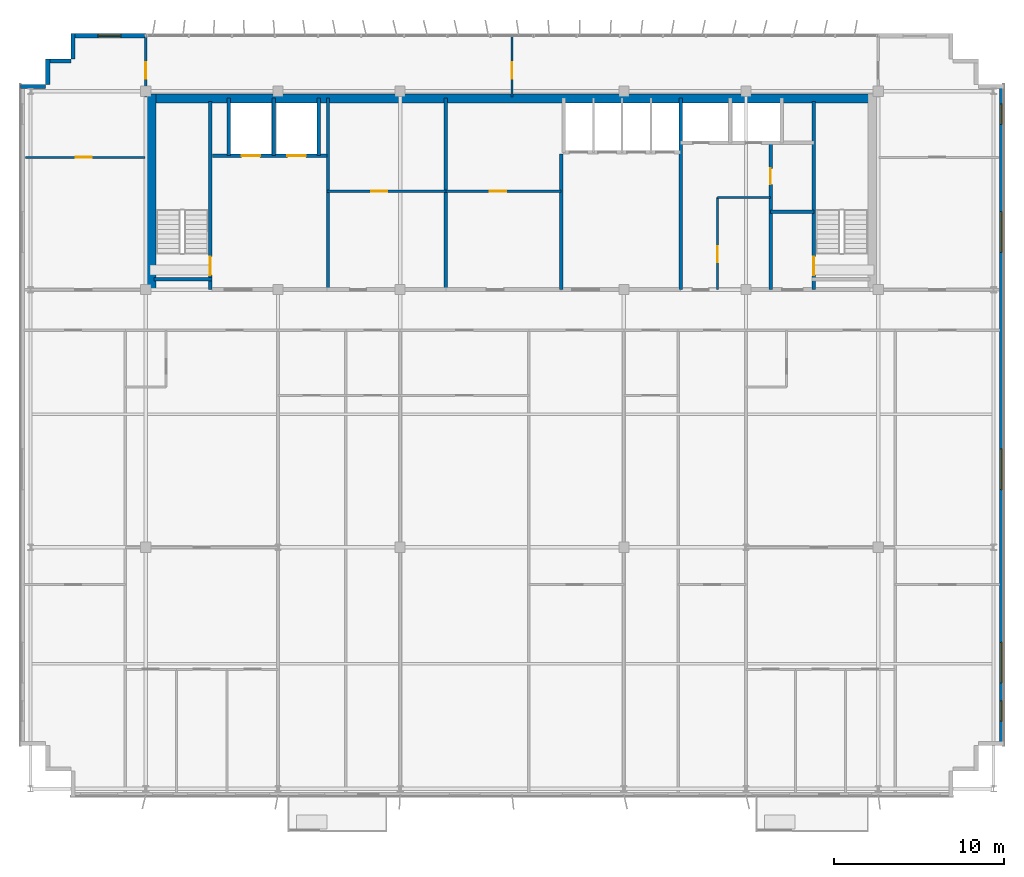
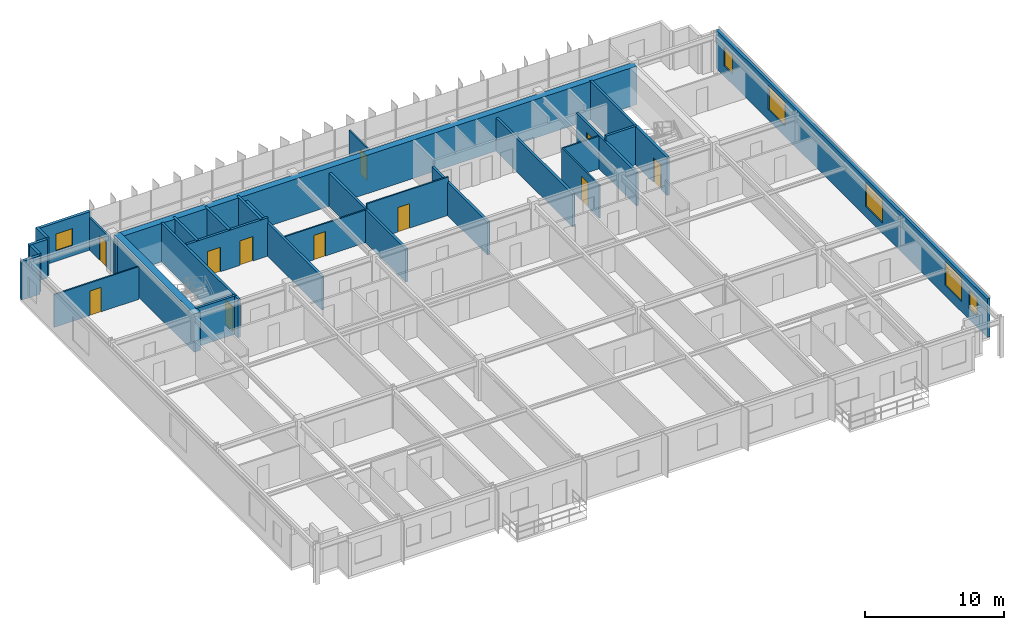
# One storey, part 19 of 22: 28 walls, 11 doors, 6 windows, 17 openings.
"""IFC4 building model written with IfcOpenShell, lengths in metres."""

from ifc_helpers import new_model, si_unit, direction, frame, frame_2d, origin, place, context, subcontext, project, spatial, rectangle, extrude, source, transform, mapped, material, layer, layer_set, type_object, element, fill, save


model = new_model("IFC4")

# Units and contexts
model_context = context("Model", 3, precision=1e-05, world=origin(), true_north=direction((0.0, 1.0)))
body_context = subcontext(model_context, "Body", "Model", "MODEL_VIEW")
ifc_project = project(units=[si_unit("LENGTHUNIT", "METRE"), si_unit("AREAUNIT", "SQUARE_METRE"), si_unit("VOLUMEUNIT", "CUBIC_METRE"), si_unit("PLANEANGLEUNIT", "RADIAN"), si_unit("MASSUNIT", "GRAM", prefix="KILO")], contexts=[model_context])

# Site, building, storey
site_placement = place(None, origin())
site = spatial("IfcSite", under=ifc_project, at=site_placement, CompositionType="ELEMENT")
building_placement = place(site_placement, origin())
building = spatial("IfcBuilding", under=site, at=building_placement, Name="Trelvane Seafront Commons", CompositionType="ELEMENT")
storey_placement = place(building_placement, frame((0.0, 0.0, 281.10009765625)))
storey = spatial("IfcBuildingStorey", under=building, at=storey_placement, Name="L73", CompositionType="ELEMENT", Elevation=281.10009765625)

# Wall, opening, window
ifc_material_1 = material(Name="Precast concrete C40/50", Category="concrete")
ifc_layer_1 = layer(ifc_material_1, 0.239990234375, Name="ARCH-WALL-EXT240")
ifc_layer_set_1 = layer_set([ifc_layer_1], Name="Precast concrete C40/50")
wall_type_1 = type_object("IfcWallType", Name="ARCH-WALL-EXT240", PredefinedType="SOLIDWALL", material=ifc_layer_set_1)
wall_1_placement = place(storey_placement, frame((11.300048828125, 48.3701171875, 0.0), z_axis=(0.0, 0.0, 1.0), x_axis=(1.0, 0.0, 0.0)))
wall_1 = element("IfcWall", 1, at=wall_1_placement, inside=storey, type_object=wall_type_1, Name="EW-L73-NW-1466", PredefinedType="SOLIDWALL", context=body_context, shape_type="SweptSolid", body=[
    extrude(rectangle(XDim=4.300048828125, YDim=0.239990234375, at=frame_2d((2.14990234375, 0.0))), origin(), (0.0, 0.0, 1.0), 3.369873046875),
])
opening_1_placement = place(wall_1_placement, frame((1.47509765625, 0.0, 0.89990234375)))
opening_1 = element("IfcOpeningElement", 2, at=opening_1_placement, cuts=wall_1, Name="Opening W09", PredefinedType="OPENING", context=body_context, shape_type="SweptSolid", body=[
    extrude(rectangle(XDim=1.35009765625, YDim=1.5, at=frame_2d((0.675048828125, 0.75))), frame((0.0, 0.1298828125, 0.0), z_axis=(0.0, -1.0, 0.0), x_axis=(1.0, 0.0, 0.0)), (0.0, 0.0, 1.0), 0.260009765625),
])
ifc_material_2 = material(Name="Low-E coastal double glazing", Category="glass")
window_type_1 = type_object("IfcWindowType", Name="ARCH-WIN-W09", PartitioningType="SINGLE_PANEL", PredefinedType="WINDOW", material=ifc_material_2)
shared_shape_1 = source(origin(), body_context, "Body", "SweptSolid", [
    extrude(rectangle(XDim=1.35009765625, YDim=1.5, at=frame_2d((0.675048828125, 0.75))), frame((0.0, 0.030029296875, 0.0), z_axis=(0.0, -1.0, 0.0), x_axis=(1.0, 0.0, 0.0)), (0.0, 0.0, 1.0), 0.06005859375),
])
window_1_placement = place(opening_1_placement, origin())
window_1 = element("IfcWindow", 3, at=window_1_placement, inside=storey, type_object=window_type_1, Name="WIN-L73-01747", OverallHeight=1.5, OverallWidth=1.35009765625, PartitioningType="SINGLE_PANEL", PredefinedType="WINDOW", context=body_context, shape_type="MappedRepresentation", body=[
    mapped(shared_shape_1, transform((0.0, 0.0, 0.0), x_axis=(1.0, 0.0, 0.0), y_axis=(0.0, 1.0, 0.0), z_axis=(0.0, 0.0, 1.0), scale=1.0)),
])
fill(opening_1, window_1)

# Walls
for number, where, z_axis, x_axis, name in (
    (4, (8.199951171875, 45.3798828125, 0.0), (0.0, 0.0, 1.0), (1.0, 0.0, 0.0), "EW-L73-01472"),
    (5, (9.820068359375, 45.5, 0.0), (0.0, 0.0, 1.0), (0.0, 1.0, 0.0), "EW-L73-01473"),
    (6, (9.699951171875, 46.8798828125, 0.0), (0.0, 0.0, 1.0), (1.0, 0.0, 0.0), "EW-L73-01474"),
    (7, (11.320068359375, 47.0, 0.0), (0.0, 0.0, 1.0), (0.0, 1.0, 0.0), "EW-L73-01475"),
):
    element("IfcWall", number, at=place(storey_placement, frame(where, z_axis=z_axis, x_axis=x_axis)), inside=storey, type_object=wall_type_1, Name=name, PredefinedType="SOLIDWALL", context=body_context, shape_type="SweptSolid", body=[
        extrude(rectangle(XDim=1.5, YDim=0.239990234375, at=frame_2d((0.75, 0.0))), origin(), (0.0, 0.0, 1.0), 3.369873046875),
    ])

# Wall, openings, windows
wall_2_placement = place(storey_placement, frame((66.080078125, 45.5, 0.0), z_axis=(0.0, 0.0, 1.0), x_axis=(0.0, -1.0, 0.0)))
wall_2 = element("IfcWall", 8, at=wall_2_placement, inside=storey, type_object=wall_type_1, Name="EW-L73-01480", PredefinedType="SOLIDWALL", context=body_context, shape_type="SweptSolid", body=[
    extrude(rectangle(XDim=39.0, YDim=0.239990234375, at=frame_2d((19.5, 0.0))), origin(), (0.0, 0.0, 1.0), 3.369873046875),
])
opening_2_placement = place(wall_2_placement, frame((36.35009765625, 0.0, 0.919921875)))
opening_2 = element("IfcOpeningElement", 9, at=opening_2_placement, cuts=wall_2, Name="Opening W05", PredefinedType="OPENING", context=body_context, shape_type="SweptSolid", body=[
    extrude(rectangle(XDim=1.199951171875, YDim=1.64990234375, at=frame_2d((0.60009765625, 0.824951171875))), frame((0.0, 0.1298828125, 0.0), z_axis=(0.0, -1.0, 0.0), x_axis=(1.0, 0.0, 0.0)), (0.0, 0.0, 1.0), 0.260009765625),
])
opening_3_placement = place(wall_2_placement, frame((32.89990234375, 0.0, 0.919921875)))
opening_3 = element("IfcOpeningElement", 10, at=opening_3_placement, cuts=wall_2, Name="Opening W08", PredefinedType="OPENING", context=body_context, shape_type="SweptSolid", body=[
    extrude(rectangle(XDim=2.39990234375, YDim=2.10009765625, at=frame_2d((1.199951171875, 1.050048828125))), frame((0.0, 0.1298828125, 0.0), z_axis=(0.0, -1.0, 0.0), x_axis=(1.0, 0.0, 0.0)), (0.0, 0.0, 1.0), 0.260009765625),
])
opening_4_placement = place(wall_2_placement, frame((21.5, 0.0, 0.919921875)))
opening_4 = element("IfcOpeningElement", 11, at=opening_4_placement, cuts=wall_2, Name="Opening W08", PredefinedType="OPENING", context=body_context, shape_type="SweptSolid", body=[
    extrude(rectangle(XDim=2.39990234375, YDim=2.10009765625, at=frame_2d((1.199951171875, 1.050048828125))), frame((0.0, 0.1298828125, 0.0), z_axis=(0.0, -1.0, 0.0), x_axis=(1.0, 0.0, 0.0)), (0.0, 0.0, 1.0), 0.260009765625),
])
opening_5_placement = place(wall_2_placement, frame((7.5, 0.0, 0.919921875)))
opening_5 = element("IfcOpeningElement", 12, at=opening_5_placement, cuts=wall_2, Name="Opening W08", PredefinedType="OPENING", context=body_context, shape_type="SweptSolid", body=[
    extrude(rectangle(XDim=2.39990234375, YDim=2.10009765625, at=frame_2d((1.199951171875, 1.050048828125))), frame((0.0, 0.1298828125, 0.0), z_axis=(0.0, -1.0, 0.0), x_axis=(1.0, 0.0, 0.0)), (0.0, 0.0, 1.0), 0.260009765625),
])
opening_6_placement = place(wall_2_placement, frame((1.14990234375, 0.0, 0.919921875)))
opening_6 = element("IfcOpeningElement", 13, at=opening_6_placement, cuts=wall_2, Name="Opening W05", PredefinedType="OPENING", context=body_context, shape_type="SweptSolid", body=[
    extrude(rectangle(XDim=1.199951171875, YDim=1.64990234375, at=frame_2d((0.60009765625, 0.824951171875))), frame((0.0, 0.1298828125, 0.0), z_axis=(0.0, -1.0, 0.0), x_axis=(1.0, 0.0, 0.0)), (0.0, 0.0, 1.0), 0.260009765625),
])
window_type_2 = type_object("IfcWindowType", Name="ARCH-WIN-W08", PartitioningType="SINGLE_PANEL", PredefinedType="WINDOW", material=ifc_material_2)
shared_shape_2 = source(origin(), body_context, "Body", "SweptSolid", [
    extrude(rectangle(XDim=2.39990234375, YDim=2.10009765625, at=frame_2d((1.199951171875, 1.050048828125))), frame((0.0, 0.030029296875, 0.0), z_axis=(0.0, -1.0, 0.0), x_axis=(1.0, 0.0, 0.0)), (0.0, 0.0, 1.0), 0.06005859375),
])
window_2_placement = place(opening_3_placement, origin())
window_2 = element("IfcWindow", 14, at=window_2_placement, inside=storey, type_object=window_type_2, Name="WIN-L73-EW-01755", OverallHeight=2.10009765625, OverallWidth=2.39990234375, PartitioningType="SINGLE_PANEL", PredefinedType="WINDOW", context=body_context, shape_type="MappedRepresentation", body=[
    mapped(shared_shape_2, transform((0.0, 0.0, 0.0), x_axis=(1.0, 0.0, 0.0), y_axis=(0.0, 1.0, 0.0), z_axis=(0.0, 0.0, 1.0), scale=1.0)),
])
fill(opening_3, window_2)
window_3_placement = place(opening_4_placement, origin())
window_3 = element("IfcWindow", 15, at=window_3_placement, inside=storey, type_object=window_type_2, Name="WIN-L73-EW-01756", OverallHeight=2.10009765625, OverallWidth=2.39990234375, PartitioningType="SINGLE_PANEL", PredefinedType="WINDOW", context=body_context, shape_type="MappedRepresentation", body=[
    mapped(shared_shape_2, transform((0.0, 0.0, 0.0), x_axis=(1.0, 0.0, 0.0), y_axis=(0.0, 1.0, 0.0), z_axis=(0.0, 0.0, 1.0), scale=1.0)),
])
fill(opening_4, window_3)
window_4_placement = place(opening_5_placement, origin())
window_4 = element("IfcWindow", 16, at=window_4_placement, inside=storey, type_object=window_type_2, Name="WIN-L73-EW-01757", OverallHeight=2.10009765625, OverallWidth=2.39990234375, PartitioningType="SINGLE_PANEL", PredefinedType="WINDOW", context=body_context, shape_type="MappedRepresentation", body=[
    mapped(shared_shape_2, transform((0.0, 0.0, 0.0), x_axis=(1.0, 0.0, 0.0), y_axis=(0.0, 1.0, 0.0), z_axis=(0.0, 0.0, 1.0), scale=1.0)),
])
fill(opening_5, window_4)
window_type_3 = type_object("IfcWindowType", Name="ARCH-WIN-W05", PartitioningType="SINGLE_PANEL", PredefinedType="WINDOW", material=ifc_material_2)
shared_shape_3 = source(origin(), body_context, "Body", "SweptSolid", [
    extrude(rectangle(XDim=1.199951171875, YDim=1.64990234375, at=frame_2d((0.60009765625, 0.824951171875))), frame((0.0, 0.030029296875, 0.0), z_axis=(0.0, -1.0, 0.0), x_axis=(1.0, 0.0, 0.0)), (0.0, 0.0, 1.0), 0.06005859375),
])
window_5_placement = place(opening_2_placement, origin())
window_5 = element("IfcWindow", 17, at=window_5_placement, inside=storey, type_object=window_type_3, Name="WIN-L73-EW-01754", OverallHeight=1.64990234375, OverallWidth=1.199951171875, PartitioningType="SINGLE_PANEL", PredefinedType="WINDOW", context=body_context, shape_type="MappedRepresentation", body=[
    mapped(shared_shape_3, transform((0.0, 0.0, 0.0), x_axis=(1.0, 0.0, 0.0), y_axis=(0.0, 1.0, 0.0), z_axis=(0.0, 0.0, 1.0), scale=1.0)),
])
fill(opening_2, window_5)
window_6_placement = place(opening_6_placement, origin())
window_6 = element("IfcWindow", 18, at=window_6_placement, inside=storey, type_object=window_type_3, Name="WIN-L73-EW-01758", OverallHeight=1.64990234375, OverallWidth=1.199951171875, PartitioningType="SINGLE_PANEL", PredefinedType="WINDOW", context=body_context, shape_type="MappedRepresentation", body=[
    mapped(shared_shape_3, transform((0.0, 0.0, 0.0), x_axis=(1.0, 0.0, 0.0), y_axis=(0.0, 1.0, 0.0), z_axis=(0.0, 0.0, 1.0), scale=1.0)),
])
fill(opening_6, window_6)

# Wall, opening, door
ifc_material_3 = material(Name="Concrete C40/50", Category="concrete")
ifc_layer_2 = layer(ifc_material_3, 0.199951171875, Name="ARCH-WALL-FIRE200")
ifc_layer_set_2 = layer_set([ifc_layer_2], Name="Concrete C40/50")
wall_type_2 = type_object("IfcWallType", Name="ARCH-WALL-FIRE200", PredefinedType="PARTITIONING", material=ifc_layer_set_2)
wall_3_placement = place(storey_placement, frame((52.449951171875, 33.39990234375, 0.0), z_axis=(0.0, 0.0, 1.0), x_axis=(0.0, 1.0, 0.0)))
wall_3 = element("IfcWall", 19, at=wall_3_placement, inside=storey, type_object=wall_type_2, Name="W-L73-ST2V-W-030", PredefinedType="PARTITIONING", context=body_context, shape_type="SweptSolid", body=[
    extrude(rectangle(XDim=8.650146484375, YDim=0.199951171875, at=frame_2d((4.3251953125, 0.0))), origin(), (0.0, 0.0, 1.0), 2.919921875),
])
opening_7_placement = place(wall_3_placement, frame((6.199951171875, 0.0, 0.0)))
opening_7 = element("IfcOpeningElement", 20, at=opening_7_placement, cuts=wall_3, Name="Opening FD-L73-17", PredefinedType="OPENING", context=body_context, shape_type="SweptSolid", body=[
    extrude(rectangle(XDim=0.949951171875, YDim=2.14990234375, at=frame_2d((0.47509765625, 1.074951171875))), frame((0.0, 0.10986328125, 0.0), z_axis=(0.0, -1.0, 0.0), x_axis=(1.0, 0.0, 0.0)), (0.0, 0.0, 1.0), 0.219970703125),
])
ifc_material_4 = material(Name="Powder-coated aluminium frame", Category="aluminium")
door_type_1 = type_object("IfcDoorType", Name="ARCH-DR-FD60-950", OperationType="NOTDEFINED", PredefinedType="DOOR", material=ifc_material_4)
shared_shape_4 = source(origin(), body_context, "Body", "SweptSolid", [
    extrude(rectangle(XDim=0.949951171875, YDim=2.14990234375, at=frame_2d((0.47509765625, 1.074951171875))), frame((0.0, 0.02490234375, 0.0), z_axis=(0.0, -1.0, 0.0), x_axis=(1.0, 0.0, 0.0)), (0.0, 0.0, 1.0), 0.050048828125),
])
door_1_placement = place(opening_7_placement, origin())
door_1 = element("IfcDoor", 21, at=door_1_placement, inside=storey, type_object=door_type_1, Name="L73 Cleaner Store Door", OperationType="SINGLE_SWING_LEFT", OverallHeight=2.14990234375, OverallWidth=0.949951171875, PredefinedType="DOOR", context=body_context, shape_type="MappedRepresentation", body=[
    mapped(shared_shape_4, transform((0.0, 0.0, 0.0), x_axis=(1.0, 0.0, 0.0), y_axis=(0.0, 1.0, 0.0), z_axis=(0.0, 0.0, 1.0), scale=1.0)),
])
fill(opening_7, door_1)

# Wall
wall_4_placement = place(storey_placement, frame((52.449951171875, 38.0, 0.0), z_axis=(0.0, 0.0, 1.0), x_axis=(1.0, 0.0, 0.0)))
element("IfcWall", 22, at=wall_4_placement, inside=storey, type_object=wall_type_2, Name="W-L73-ST2V-N-031", PredefinedType="PARTITIONING", context=body_context, shape_type="SweptSolid", body=[
    extrude(rectangle(XDim=2.550048828125, YDim=0.199951171875, at=frame_2d((1.27490234375, 0.0))), origin(), (0.0, 0.0, 1.0), 3.369873046875),
])

# Wall, opening, door
ifc_material_5 = material(Name="Gypsum Drywall Acoustic Partition")
ifc_layer_3 = layer(ifc_material_5, 0.1201171875, Name="ARCH-WALL-PART120")
ifc_layer_set_3 = layer_set([ifc_layer_3], Name="Gypsum Drywall Acoustic Partition")
wall_type_3 = type_object("IfcWallType", Name="ARCH-WALL-PART120", PredefinedType="PARTITIONING", material=ifc_layer_set_3)
wall_5_placement = place(storey_placement, frame((26.300048828125, 39.199951171875, 0.0), z_axis=(0.0, 0.0, 1.0), x_axis=(1.0, 0.0, 0.0)))
wall_5 = element("IfcWall", 23, at=wall_5_placement, inside=storey, type_object=wall_type_3, Name="W-L73-FREED-PL-MID-014", PredefinedType="PARTITIONING", context=body_context, shape_type="SweptSolid", body=[
    extrude(rectangle(XDim=7.0, YDim=0.1201171875, at=frame_2d((3.5, 0.0))), origin(), (0.0, 0.0, 1.0), 2.869873046875),
])
opening_8_placement = place(wall_5_placement, frame((2.60009765625, 0.0, 0.0)))
opening_8 = element("IfcOpeningElement", 24, at=opening_8_placement, cuts=wall_5, Name="Opening D-L73-06", PredefinedType="OPENING", context=body_context, shape_type="SweptSolid", body=[
    extrude(rectangle(XDim=0.949951171875, YDim=2.14990234375, at=frame_2d((0.47509765625, 1.074951171875))), frame((0.0, 0.070068359375, 0.0), z_axis=(0.0, -1.0, 0.0), x_axis=(1.0, 0.0, 0.0)), (0.0, 0.0, 1.0), 0.14013671875),
])
ifc_material_6 = material(Name="Acoustic timber door leaf", Category="wood")
door_type_2 = type_object("IfcDoorType", Name="ARCH-DR-INT950", OperationType="NOTDEFINED", PredefinedType="DOOR", material=ifc_material_6)
door_2_placement = place(opening_8_placement, origin())
door_2 = element("IfcDoor", 25, at=door_2_placement, inside=storey, type_object=door_type_2, Name="L73 Housekeeping Store Door", OperationType="SINGLE_SWING_RIGHT", OverallHeight=2.14990234375, OverallWidth=0.949951171875, PredefinedType="DOOR", context=body_context, shape_type="MappedRepresentation", body=[
    mapped(shared_shape_4, transform((0.0, 0.0, 0.0), x_axis=(1.0, 0.0, 0.0), y_axis=(0.0, 1.0, 0.0), z_axis=(0.0, 0.0, 1.0), scale=1.0)),
])
fill(opening_8, door_2)

wall_6_placement = place(storey_placement, frame((33.300048828125, 39.199951171875, 0.0), z_axis=(0.0, 0.0, 1.0), x_axis=(1.0, 0.0, 0.0)))
wall_6 = element("IfcWall", 26, at=wall_6_placement, inside=storey, type_object=wall_type_3, Name="W-L73-FREED-PM-MID-016", PredefinedType="PARTITIONING", context=body_context, shape_type="SweptSolid", body=[
    extrude(rectangle(XDim=6.800048828125, YDim=0.1201171875, at=frame_2d((3.39990234375, 0.0))), origin(), (0.0, 0.0, 1.0), 3.369873046875),
])
opening_9_placement = place(wall_6_placement, frame((2.60009765625, 0.0, 0.0)))
opening_9 = element("IfcOpeningElement", 27, at=opening_9_placement, cuts=wall_6, Name="Opening D-L73-07", PredefinedType="OPENING", context=body_context, shape_type="SweptSolid", body=[
    extrude(rectangle(XDim=0.949951171875, YDim=2.14990234375, at=frame_2d((0.47509765625, 1.074951171875))), frame((0.0, 0.070068359375, 0.0), z_axis=(0.0, -1.0, 0.0), x_axis=(1.0, 0.0, 0.0)), (0.0, 0.0, 1.0), 0.14013671875),
])
door_3_placement = place(opening_9_placement, origin())
door_3 = element("IfcDoor", 28, at=door_3_placement, inside=storey, type_object=door_type_2, Name="L73 IT Comms Room Door", OperationType="SINGLE_SWING_LEFT", OverallHeight=2.14990234375, OverallWidth=0.949951171875, PredefinedType="DOOR", context=body_context, shape_type="MappedRepresentation", body=[
    mapped(shared_shape_4, transform((0.0, 0.0, 0.0), x_axis=(1.0, 0.0, 0.0), y_axis=(0.0, 1.0, 0.0), z_axis=(0.0, 0.0, 1.0), scale=1.0)),
])
fill(opening_9, door_3)

wall_7_placement = place(storey_placement, frame((49.320068359375, 33.39990234375, 0.0), z_axis=(0.0, 0.0, 1.0), x_axis=(0.0, 1.0, 0.0)))
wall_7 = element("IfcWall", 29, at=wall_7_placement, inside=storey, type_object=wall_type_3, Name="W-L73-CYC2-V-032", PredefinedType="PARTITIONING", context=body_context, shape_type="SweptSolid", body=[
    extrude(rectangle(XDim=5.420166015625, YDim=0.1201171875, at=frame_2d((2.7099609375, 0.0))), origin(), (0.0, 0.0, 1.0), 2.919921875),
])
opening_10_placement = place(wall_7_placement, frame((1.60009765625, 0.0, 0.0)))
opening_10 = element("IfcOpeningElement", 30, at=opening_10_placement, cuts=wall_7, Name="Opening D-L73-18", PredefinedType="OPENING", context=body_context, shape_type="SweptSolid", body=[
    extrude(rectangle(XDim=0.949951171875, YDim=2.14990234375, at=frame_2d((0.47509765625, 1.074951171875))), frame((0.0, 0.070068359375, 0.0), z_axis=(0.0, -1.0, 0.0), x_axis=(1.0, 0.0, 0.0)), (0.0, 0.0, 1.0), 0.14013671875),
])
door_4_placement = place(opening_10_placement, origin())
door_4 = element("IfcDoor", 31, at=door_4_placement, inside=storey, type_object=door_type_2, Name="L73 Accessible WC Door", OperationType="SINGLE_SWING_RIGHT", OverallHeight=2.14990234375, OverallWidth=0.949951171875, PredefinedType="DOOR", context=body_context, shape_type="MappedRepresentation", body=[
    mapped(shared_shape_4, transform((0.0, 0.0, 0.0), x_axis=(1.0, 0.0, 0.0), y_axis=(0.0, 1.0, 0.0), z_axis=(0.0, 0.0, 1.0), scale=1.0)),
])
fill(opening_10, door_4)

# Wall
wall_8_placement = place(storey_placement, frame((49.320068359375, 38.820068359375, 0.0), z_axis=(0.0, 0.0, 1.0), x_axis=(1.0, 0.0, 0.0)))
element("IfcWall", 32, at=wall_8_placement, inside=storey, type_object=wall_type_3, Name="W-L73-CYC2-H-033", PredefinedType="PARTITIONING", context=body_context, shape_type="SweptSolid", body=[
    extrude(rectangle(XDim=3.1298828125, YDim=0.1201171875, at=frame_2d((1.56494140625, 0.0))), origin(), (0.0, 0.0, 1.0), 2.869873046875),
])

# Wall, opening, door
wall_9_placement = place(storey_placement, frame((8.5, 41.199951171875, 0.0), z_axis=(0.0, 0.0, 1.0), x_axis=(1.0, 0.0, 0.0)))
wall_9 = element("IfcWall", 33, at=wall_9_placement, inside=storey, type_object=wall_type_3, Name="W-L73-NW-LGDV-035", PredefinedType="PARTITIONING", context=body_context, shape_type="SweptSolid", body=[
    extrude(rectangle(XDim=7.050048828125, YDim=0.1201171875, at=frame_2d((3.52490234375, 0.0))), origin(), (0.0, 0.0, 1.0), 2.869873046875),
])
opening_11_placement = place(wall_9_placement, frame((2.9580078125, 0.0, 0.0)))
opening_11 = element("IfcOpeningElement", 34, at=opening_11_placement, cuts=wall_9, Name="Opening D-L73-21", PredefinedType="OPENING", context=body_context, shape_type="SweptSolid", body=[
    extrude(rectangle(XDim=0.949951171875, YDim=2.14990234375, at=frame_2d((0.47509765625, 1.074951171875))), frame((0.0, 0.070068359375, 0.0), z_axis=(0.0, -1.0, 0.0), x_axis=(1.0, 0.0, 0.0)), (0.0, 0.0, 1.0), 0.14013671875),
])
door_5_placement = place(opening_11_placement, origin())
door_5 = element("IfcDoor", 35, at=door_5_placement, inside=storey, type_object=door_type_2, Name="L73 Door 21", OperationType="SINGLE_SWING_LEFT", OverallHeight=2.14990234375, OverallWidth=0.949951171875, PredefinedType="DOOR", context=body_context, shape_type="MappedRepresentation", body=[
    mapped(shared_shape_4, transform((0.0, 0.0, 0.0), x_axis=(1.0, 0.0, 0.0), y_axis=(0.0, 1.0, 0.0), z_axis=(0.0, 0.0, 1.0), scale=1.0)),
])
fill(opening_11, door_5)

wall_10_placement = place(storey_placement, frame((37.199951171875, 44.75, 0.0), z_axis=(0.0, 0.0, 1.0), x_axis=(0.0, 1.0, 0.0)))
wall_10 = element("IfcWall", 36, at=wall_10_placement, inside=storey, type_object=wall_type_3, Name="W-L73-N-MID-DV-039", PredefinedType="PARTITIONING", context=body_context, shape_type="SweptSolid", body=[
    extrude(rectangle(XDim=3.610107421875, YDim=0.1201171875, at=frame_2d((1.80517578125, 0.0))), origin(), (0.0, 0.0, 1.0), 2.919921875),
])
opening_12_placement = place(wall_10_placement, frame((1.10009765625, 0.0, 0.0)))
opening_12 = element("IfcOpeningElement", 37, at=opening_12_placement, cuts=wall_10, Name="Opening D-L73-25", PredefinedType="OPENING", context=body_context, shape_type="SweptSolid", body=[
    extrude(rectangle(XDim=0.949951171875, YDim=2.14990234375, at=frame_2d((0.47509765625, 1.074951171875))), frame((0.0, 0.070068359375, 0.0), z_axis=(0.0, -1.0, 0.0), x_axis=(1.0, 0.0, 0.0)), (0.0, 0.0, 1.0), 0.14013671875),
])
door_6_placement = place(opening_12_placement, origin())
door_6 = element("IfcDoor", 38, at=door_6_placement, inside=storey, type_object=door_type_2, Name="L73 Door 25", OperationType="SINGLE_SWING_LEFT", OverallHeight=2.14990234375, OverallWidth=0.949951171875, PredefinedType="DOOR", context=body_context, shape_type="MappedRepresentation", body=[
    mapped(shared_shape_4, transform((0.0, 0.0, 0.0), x_axis=(1.0, 0.0, 0.0), y_axis=(0.0, 1.0, 0.0), z_axis=(0.0, 0.0, 1.0), scale=1.0)),
])
fill(opening_12, door_6)

ifc_layer_4 = layer(ifc_material_5, 0.14990234375, Name="ARCH-WALL-PART150")
ifc_layer_set_4 = layer_set([ifc_layer_4], Name="Gypsum Drywall Acoustic Partition")
wall_type_4 = type_object("IfcWallType", Name="ARCH-WALL-PART150", PredefinedType="PARTITIONING", material=ifc_layer_set_4)
wall_11_placement = place(storey_placement, frame((15.60009765625, 44.75, 0.0), z_axis=(0.0, 0.0, 1.0), x_axis=(0.0, 1.0, 0.0)))
wall_11 = element("IfcWall", 39, at=wall_11_placement, inside=storey, type_object=wall_type_4, Name="W-L73-N-LINK-W-040", PredefinedType="PARTITIONING", context=body_context, shape_type="SweptSolid", body=[
    extrude(rectangle(XDim=3.610107421875, YDim=0.14990234375, at=frame_2d((1.80517578125, 0.0))), origin(), (0.0, 0.0, 1.0), 2.869873046875),
])
opening_13_placement = place(wall_11_placement, frame((1.10009765625, 0.0, 0.0)))
opening_13 = element("IfcOpeningElement", 40, at=opening_13_placement, cuts=wall_11, Name="Opening FD-L73-26", PredefinedType="OPENING", context=body_context, shape_type="SweptSolid", body=[
    extrude(rectangle(XDim=0.949951171875, YDim=2.14990234375, at=frame_2d((0.47509765625, 1.074951171875))), frame((0.0, 0.0849609375, 0.0), z_axis=(0.0, -1.0, 0.0), x_axis=(1.0, 0.0, 0.0)), (0.0, 0.0, 1.0), 0.169921875),
])
door_7_placement = place(opening_13_placement, origin())
door_7 = element("IfcDoor", 41, at=door_7_placement, inside=storey, type_object=door_type_1, Name="L73 Door 26", OperationType="SINGLE_SWING_RIGHT", OverallHeight=2.14990234375, OverallWidth=0.949951171875, PredefinedType="DOOR", context=body_context, shape_type="MappedRepresentation", body=[
    mapped(shared_shape_4, transform((0.0, 0.0, 0.0), x_axis=(1.0, 0.0, 0.0), y_axis=(0.0, 1.0, 0.0), z_axis=(0.0, 0.0, 1.0), scale=1.0)),
])
fill(opening_13, door_7)

# Wall, openings, doors
ifc_layer_5 = layer(ifc_material_3, 0.199951171875, Name="ARCH-WALL-SHAFT200")
ifc_layer_set_5 = layer_set([ifc_layer_5], Name="Concrete C40/50")
wall_type_5 = type_object("IfcWallType", Name="ARCH-WALL-SHAFT200", PredefinedType="SOLIDWALL", material=ifc_layer_set_5)
wall_12_placement = place(storey_placement, frame((19.550048828125, 41.300048828125, 0.0), z_axis=(0.0, 0.0, 1.0), x_axis=(1.0, 0.0, 0.0)))
wall_12 = element("IfcWall", 42, at=wall_12_placement, inside=storey, type_object=wall_type_5, Name="W-L73-FFL-FRONT-008", PredefinedType="SOLIDWALL", context=body_context, shape_type="SweptSolid", body=[
    extrude(rectangle(XDim=6.75, YDim=0.199951171875, at=frame_2d((3.375, 0.0))), origin(), (0.0, 0.0, 1.0), 3.369873046875),
])
opening_14_placement = place(wall_12_placement, frame((1.699951171875, 0.0, 0.0)))
opening_14 = element("IfcOpeningElement", 43, at=opening_14_placement, cuts=wall_12, Name="Opening LD-FF1-L73", PredefinedType="OPENING", context=body_context, shape_type="SweptSolid", body=[
    extrude(rectangle(XDim=1.10009765625, YDim=2.14990234375, at=frame_2d((0.550048828125, 1.074951171875))), frame((0.0, 0.10986328125, 0.0), z_axis=(0.0, -1.0, 0.0), x_axis=(1.0, 0.0, 0.0)), (0.0, 0.0, 1.0), 0.219970703125),
])
opening_15_placement = place(wall_12_placement, frame((4.39990234375, 0.0, 0.0)))
opening_15 = element("IfcOpeningElement", 44, at=opening_15_placement, cuts=wall_12, Name="Opening LD-FF2-L73", PredefinedType="OPENING", context=body_context, shape_type="SweptSolid", body=[
    extrude(rectangle(XDim=1.10009765625, YDim=2.14990234375, at=frame_2d((0.550048828125, 1.074951171875))), frame((0.0, 0.10986328125, 0.0), z_axis=(0.0, -1.0, 0.0), x_axis=(1.0, 0.0, 0.0)), (0.0, 0.0, 1.0), 0.219970703125),
])
ifc_material_7 = material(Name="Stainless steel balustrade", Category="steel")
door_type_3 = type_object("IfcDoorType", Name="ARCH-DR-LD1100", OperationType="DOUBLE_DOOR_SLIDING", PredefinedType="DOOR", material=ifc_material_7)
shared_shape_5 = source(origin(), body_context, "Body", "SweptSolid", [
    extrude(rectangle(XDim=1.10009765625, YDim=2.14990234375, at=frame_2d((0.550048828125, 1.074951171875))), frame((0.0, 0.02490234375, 0.0), z_axis=(0.0, -1.0, 0.0), x_axis=(1.0, 0.0, 0.0)), (0.0, 0.0, 1.0), 0.050048828125),
])
door_8_placement = place(opening_14_placement, origin())
door_8 = element("IfcDoor", 45, at=door_8_placement, inside=storey, type_object=door_type_3, Name="L73 Firefighting Lift FFL-1 Landing Door", OperationType="DOUBLE_DOOR_SLIDING", OverallHeight=2.14990234375, OverallWidth=1.10009765625, PredefinedType="DOOR", context=body_context, shape_type="MappedRepresentation", body=[
    mapped(shared_shape_5, transform((0.0, 0.0, 0.0), x_axis=(1.0, 0.0, 0.0), y_axis=(0.0, 1.0, 0.0), z_axis=(0.0, 0.0, 1.0), scale=1.0)),
])
fill(opening_14, door_8)
door_9_placement = place(opening_15_placement, origin())
door_9 = element("IfcDoor", 46, at=door_9_placement, inside=storey, type_object=door_type_3, Name="L73 Firefighting Lift FFL-2 Landing Door", OperationType="DOUBLE_DOOR_SLIDING", OverallHeight=2.14990234375, OverallWidth=1.10009765625, PredefinedType="DOOR", context=body_context, shape_type="MappedRepresentation", body=[
    mapped(shared_shape_5, transform((0.0, 0.0, 0.0), x_axis=(1.0, 0.0, 0.0), y_axis=(0.0, 1.0, 0.0), z_axis=(0.0, 0.0, 1.0), scale=1.0)),
])
fill(opening_15, door_9)

# Walls
for number, where, z_axis, x_axis, name in (
    (47, (20.5, 41.300048828125, 0.0), (0.0, 0.0, 1.0), (0.0, 1.0, 0.0), "W-L73-FFL-SH-W-009"),
    (48, (23.14990234375, 41.300048828125, 0.0), (0.0, 0.0, 1.0), (0.0, 1.0, 0.0), "W-L73-FFL-DIV-010"),
    (49, (25.800048828125, 41.300048828125, 0.0), (0.0, 0.0, 1.0), (0.0, 1.0, 0.0), "W-L73-FFL-SH-E-011"),
):
    element("IfcWall", number, at=place(storey_placement, frame(where, z_axis=z_axis, x_axis=x_axis)), inside=storey, type_object=wall_type_5, Name=name, PredefinedType="SOLIDWALL", context=body_context, shape_type="SweptSolid", body=[
        extrude(rectangle(XDim=3.39990234375, YDim=0.199951171875, at=frame_2d((1.699951171875, 0.0))), origin(), (0.0, 0.0, 1.0), 3.369873046875),
    ])
for number, where, z_axis, x_axis, name in (
    (50, (26.35009765625, 33.39990234375, 0.0), (0.0, 0.0, 1.0), (0.0, 1.0, 0.0), "W-L73-FFL-EAST-012"),
    (51, (33.300048828125, 33.39990234375, 0.0), (0.0, 0.0, 1.0), (0.0, 1.0, 0.0), "W-L73-FREED-PL-E-015"),
):
    element("IfcWall", number, at=place(storey_placement, frame(where, z_axis=z_axis, x_axis=x_axis)), inside=storey, type_object=wall_type_5, Name=name, PredefinedType="SOLIDWALL", context=body_context, shape_type="SweptSolid", body=[
        extrude(rectangle(XDim=11.300048828125, YDim=0.199951171875, at=frame_2d((5.64990234375, 0.0))), origin(), (0.0, 0.0, 1.0), 2.919921875),
    ])
wall_13_placement = place(storey_placement, frame((40.10009765625, 33.39990234375, 0.0), z_axis=(0.0, 0.0, 1.0), x_axis=(0.0, 1.0, 0.0)))
element("IfcWall", 52, at=wall_13_placement, inside=storey, type_object=wall_type_5, Name="W-L73-FREED-PM-E-017", PredefinedType="SOLIDWALL", context=body_context, shape_type="SweptSolid", body=[
    extrude(rectangle(XDim=8.0, YDim=0.199951171875, at=frame_2d((4.0, 0.0))), origin(), (0.0, 0.0, 1.0), 2.919921875),
])
wall_14_placement = place(storey_placement, frame((47.14990234375, 33.39990234375, 0.0), z_axis=(0.0, 0.0, 1.0), x_axis=(0.0, 1.0, 0.0)))
element("IfcWall", 53, at=wall_14_placement, inside=storey, type_object=wall_type_5, Name="W-L73-PH-EAST-023", PredefinedType="SOLIDWALL", context=body_context, shape_type="SweptSolid", body=[
    extrude(rectangle(XDim=11.300048828125, YDim=0.199951171875, at=frame_2d((5.64990234375, 0.0))), origin(), (0.0, 0.0, 1.0), 2.919921875),
])
ifc_material_8 = material(Name="Concrete C50/60", Category="concrete")
ifc_layer_6 = layer(ifc_material_8, 0.550048828125, Name="STR-WALL-CORE550")
ifc_layer_set_6 = layer_set([ifc_layer_6], Name="Concrete C50/60")
wall_type_6 = type_object("IfcWallType", Name="STR-WALL-CORE550", PredefinedType="SHEAR", material=ifc_layer_set_6)
wall_15_placement = place(storey_placement, frame((15.64990234375, 44.675048828125, 0.0), z_axis=(0.0, 0.0, 1.0), x_axis=(1.0, 0.0, 0.0)))
element("IfcWall", 54, at=wall_15_placement, inside=storey, type_object=wall_type_6, Name="W-L73-CN-ALL-001", PredefinedType="SHEAR", context=body_context, shape_type="SweptSolid", body=[
    extrude(rectangle(XDim=43.10009765625, YDim=0.550048828125, at=frame_2d((21.550048828125, 0.0))), origin(), (0.0, 0.0, 1.0), 3.369873046875),
])
wall_16_placement = place(storey_placement, frame((15.925048828125, 33.39990234375, 0.0), z_axis=(0.0, 0.0, 1.0), x_axis=(0.0, 1.0, 0.0)))
element("IfcWall", 55, at=wall_16_placement, inside=storey, type_object=wall_type_6, Name="W-L73-CW-END-002", PredefinedType="SHEAR", context=body_context, shape_type="SweptSolid", body=[
    extrude(rectangle(XDim=11.550048828125, YDim=0.550048828125, at=frame_2d((5.77490234375, 0.0))), origin(), (0.0, 0.0, 1.0), 3.369873046875),
])
ifc_layer_7 = layer(ifc_material_8, 0.199951171875, Name="STR-WALL-STAIR200")
ifc_layer_set_7 = layer_set([ifc_layer_7], Name="Concrete C50/60")
wall_type_7 = type_object("IfcWallType", Name="STR-WALL-STAIR200", PredefinedType="SHEAR", material=ifc_layer_set_7)
wall_17_placement = place(storey_placement, frame((16.10009765625, 34.0, 0.0), z_axis=(0.0, 0.0, 1.0), x_axis=(1.0, 0.0, 0.0)))
element("IfcWall", 56, at=wall_17_placement, inside=storey, type_object=wall_type_7, Name="W-L73-ST1-S-004", PredefinedType="SHEAR", context=body_context, shape_type="SweptSolid", body=[
    extrude(rectangle(XDim=3.39990234375, YDim=0.199951171875, at=frame_2d((1.699951171875, 0.0))), origin(), (0.0, 0.0, 1.0), 3.369873046875),
])

# Wall, opening, door
wall_18_placement = place(storey_placement, frame((19.39990234375, 33.39990234375, 0.0), z_axis=(0.0, 0.0, 1.0), x_axis=(0.0, 1.0, 0.0)))
wall_18 = element("IfcWall", 57, at=wall_18_placement, inside=storey, type_object=wall_type_7, Name="W-L73-ST1-E-005", PredefinedType="SHEAR", context=body_context, shape_type="SweptSolid", body=[
    extrude(rectangle(XDim=11.10009765625, YDim=0.199951171875, at=frame_2d((5.550048828125, 0.0))), origin(), (0.0, 0.0, 1.0), 3.369873046875),
])
opening_16_placement = place(wall_18_placement, frame((0.85009765625, 0.0, 0.0)))
opening_16 = element("IfcOpeningElement", 58, at=opening_16_placement, cuts=wall_18, Name="Opening ST-D1-L73", PredefinedType="OPENING", context=body_context, shape_type="SweptSolid", body=[
    extrude(rectangle(XDim=1.10009765625, YDim=2.14990234375, at=frame_2d((0.550048828125, 1.074951171875))), frame((0.0, 0.10986328125, 0.0), z_axis=(0.0, -1.0, 0.0), x_axis=(1.0, 0.0, 0.0)), (0.0, 0.0, 1.0), 0.219970703125),
])
door_type_4 = type_object("IfcDoorType", Name="ARCH-DR-FD90-1100", OperationType="NOTDEFINED", PredefinedType="DOOR", material=ifc_material_4)
door_10_placement = place(opening_16_placement, origin())
door_10 = element("IfcDoor", 59, at=door_10_placement, inside=storey, type_object=door_type_4, Name="L73 Stair ST-1 Lobby Fire Door", OperationType="SINGLE_SWING_LEFT", OverallHeight=2.14990234375, OverallWidth=1.10009765625, PredefinedType="DOOR", context=body_context, shape_type="MappedRepresentation", body=[
    mapped(shared_shape_5, transform((0.0, 0.0, 0.0), x_axis=(1.0, 0.0, 0.0), y_axis=(0.0, 1.0, 0.0), z_axis=(0.0, 0.0, 1.0), scale=1.0)),
])
fill(opening_16, door_10)

wall_19_placement = place(storey_placement, frame((55.0, 33.39990234375, 0.0), z_axis=(0.0, 0.0, 1.0), x_axis=(0.0, 1.0, 0.0)))
wall_19 = element("IfcWall", 60, at=wall_19_placement, inside=storey, type_object=wall_type_7, Name="W-L73-ST2-W-007", PredefinedType="SHEAR", context=body_context, shape_type="SweptSolid", body=[
    extrude(rectangle(XDim=11.10009765625, YDim=0.199951171875, at=frame_2d((5.550048828125, 0.0))), origin(), (0.0, 0.0, 1.0), 3.369873046875),
])
opening_17_placement = place(wall_19_placement, frame((0.85009765625, 0.0, 0.0)))
opening_17 = element("IfcOpeningElement", 61, at=opening_17_placement, cuts=wall_19, Name="Opening ST-D2-L73", PredefinedType="OPENING", context=body_context, shape_type="SweptSolid", body=[
    extrude(rectangle(XDim=1.10009765625, YDim=2.14990234375, at=frame_2d((0.550048828125, 1.074951171875))), frame((0.0, 0.10986328125, 0.0), z_axis=(0.0, -1.0, 0.0), x_axis=(1.0, 0.0, 0.0)), (0.0, 0.0, 1.0), 0.219970703125),
])
door_11_placement = place(opening_17_placement, origin())
door_11 = element("IfcDoor", 62, at=door_11_placement, inside=storey, type_object=door_type_4, Name="L73 Stair ST-2 Vestibule Fire Door", OperationType="SINGLE_SWING_RIGHT", OverallHeight=2.14990234375, OverallWidth=1.10009765625, PredefinedType="DOOR", context=body_context, shape_type="MappedRepresentation", body=[
    mapped(shared_shape_5, transform((0.0, 0.0, 0.0), x_axis=(1.0, 0.0, 0.0), y_axis=(0.0, 1.0, 0.0), z_axis=(0.0, 0.0, 1.0), scale=1.0)),
])
fill(opening_17, door_11)

save(model, "model.ifc")
